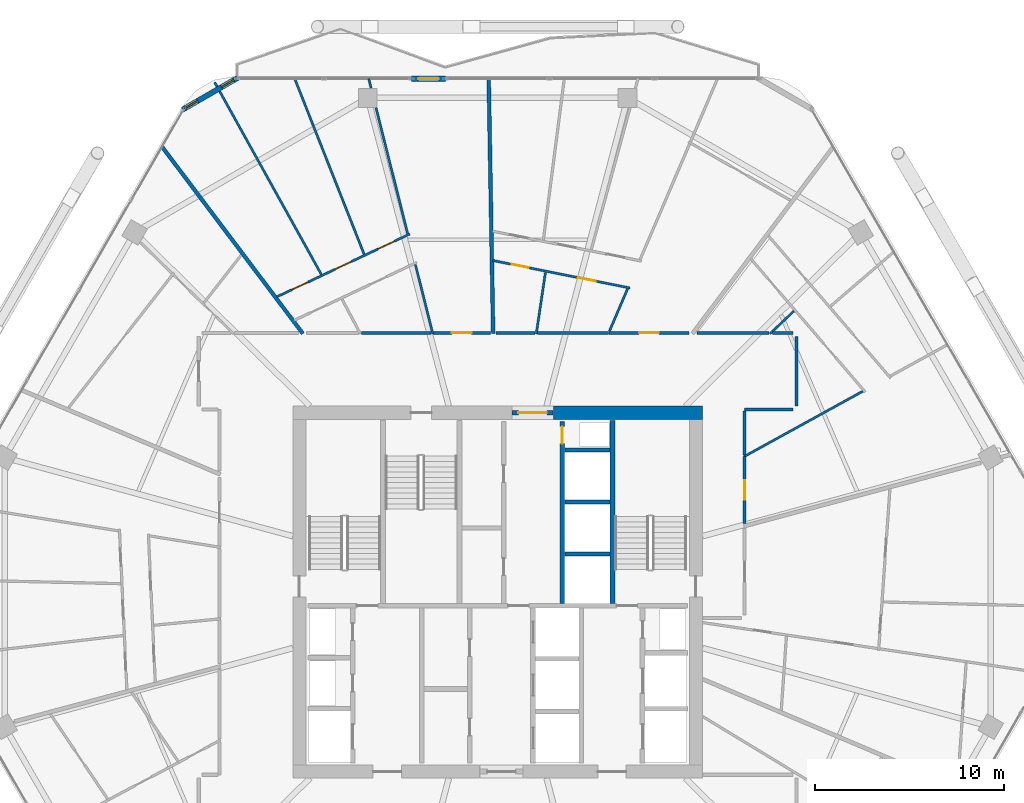
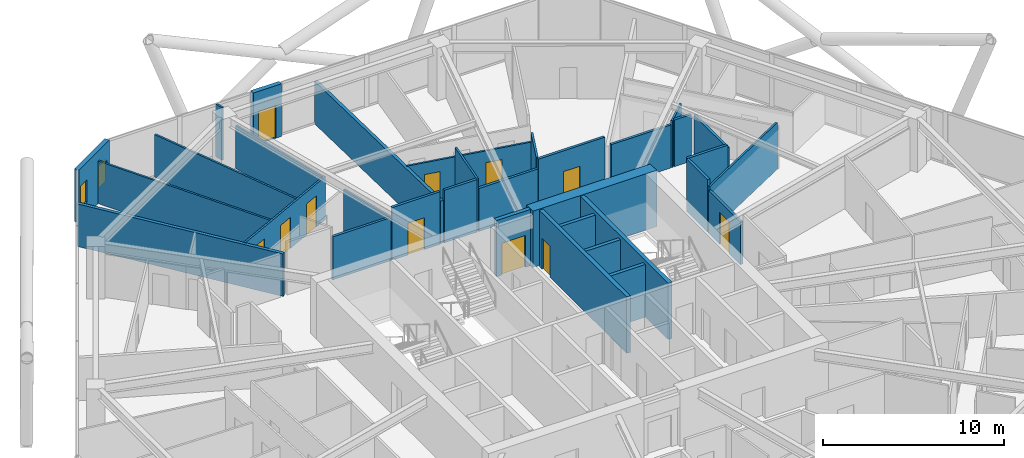
# One storey, part 25 of 29: 33 walls, 11 doors, 2 windows, 13 openings.
"""IFC4 building model written with IfcOpenShell, lengths in metres."""

from ifc_helpers import new_model, si_unit, direction, frame, frame_2d, origin, place, context, subcontext, project, spatial, rectangle, extrude, material, layer, layer_set, type_object, element, fill, save


model = new_model("IFC4")

# Units and contexts
model_context = context("Model", 3, precision=1e-05, world=origin(), true_north=direction((0.0, 1.0)))
body_context = subcontext(model_context, "Body", "Model", "MODEL_VIEW")
ifc_project = project(units=[si_unit("LENGTHUNIT", "METRE"), si_unit("AREAUNIT", "SQUARE_METRE"), si_unit("VOLUMEUNIT", "CUBIC_METRE"), si_unit("PLANEANGLEUNIT", "RADIAN"), si_unit("MASSUNIT", "GRAM", prefix="KILO")], contexts=[model_context])

# Site, building, storey
site_placement = place(None, origin())
site = spatial("IfcSite", under=ifc_project, at=site_placement, CompositionType="ELEMENT")
building_placement = place(site_placement, origin())
building = spatial("IfcBuilding", under=site, at=building_placement, Name="Zuhravey Tower", CompositionType="ELEMENT")
storey_placement = place(building_placement, frame((0.0, 0.0, 184.60009765625)))
storey = spatial("IfcBuildingStorey", under=building, at=storey_placement, Name="L46", CompositionType="ELEMENT", Elevation=184.60009765625)

# Wall
ifc_material_1 = material(Name="Concrete C60/75", Category="concrete")
ifc_layer_1 = layer(ifc_material_1, 0.699951171875)
ifc_layer_set_1 = layer_set([ifc_layer_1], Name="Concrete C60/75")
wall_type_1 = type_object("IfcWallType", Name="Core Shear Wall 700", PredefinedType="SHEAR", material=ifc_layer_set_1)
wall_1_placement = place(storey_placement, frame((46.85009765625, 41.5, 0.0), z_axis=(0.0, 0.0, 1.0), x_axis=(-1.0, 0.0, 0.0)))
element("IfcWall", 1, at=wall_1_placement, inside=storey, type_object=wall_type_1, Name="L46 North-East Core Shear Wall CW70", PredefinedType="SHEAR", context=body_context, shape_type="SweptSolid", body=[
    extrude(rectangle(XDim=7.900146484375, YDim=0.699951171875, at=frame_2d((3.9501953125, 0.0))), origin(), (0.0, 0.0, 1.0), 3.7998046875),
])

# Wall, opening, door
ifc_material_2 = material(Name="Gypsum fire-rated stud partition")
ifc_layer_2 = layer(ifc_material_2, 0.159912109375)
ifc_layer_set_2 = layer_set([ifc_layer_2], Name="Gypsum fire-rated stud partition")
wall_type_2 = type_object("IfcWallType", Name="Corridor Fire Partition 160", PredefinedType="PARTITIONING", material=ifc_layer_set_2)
wall_2_placement = place(storey_placement, frame((49.080078125, 35.648193359375, 0.0), z_axis=(0.0, 0.0, 1.0), x_axis=(0.0, 1.0, 0.0)))
wall_2 = element("IfcWall", 2, at=wall_2_placement, inside=storey, type_object=wall_type_2, Name="L46 IW16 Partition 022", PredefinedType="PARTITIONING", context=body_context, shape_type="SweptSolid", body=[
    extrude(rectangle(XDim=3.525634765625, YDim=0.159912109375, at=frame_2d((1.7626953125, 0.0))), origin(), (0.0, 0.0, 1.0), 2.89990234375),
])
opening_1_placement = place(wall_2_placement, frame((1.23779296875, 0.0, 0.0)))
opening_1 = element("IfcOpeningElement", 3, at=opening_1_placement, cuts=wall_2, Name="Opening APD1", PredefinedType="OPENING", context=body_context, shape_type="SweptSolid", body=[
    extrude(rectangle(XDim=1.050048828125, YDim=2.14990234375, at=frame_2d((0.52490234375, 1.074951171875))), frame((0.0, 0.092041015625, 0.0), z_axis=(0.0, -1.0, 0.0), x_axis=(1.0, 0.0, 0.0)), (0.0, 0.0, 1.0), 0.183837890625),
])
ifc_material_3 = material(Name="Solid-core oak fire-rated leaf")
door_type_1 = type_object("IfcDoorType", Name="Apartment Entrance Fire Door 1050x2150", OperationType="NOTDEFINED", PredefinedType="DOOR", material=ifc_material_3)
door_1_placement = place(opening_1_placement, frame((1.050048828125, 0.0, 0.0), z_axis=(0.0, 0.0, 1.0), x_axis=(-1.0, 0.0, 0.0)))
door_1 = element("IfcDoor", 4, at=door_1_placement, inside=storey, type_object=door_type_1, Name="L46 Door 022.1", OperationType="SINGLE_SWING_LEFT", OverallHeight=2.14990234375, OverallWidth=1.050048828125, PredefinedType="DOOR", context=body_context, shape_type="SweptSolid", body=[
    extrude(rectangle(XDim=1.050048828125, YDim=2.14990234375, at=frame_2d((0.52490234375, 1.074951171875))), frame((0.0, 0.02490234375, 0.0), z_axis=(0.0, -1.0, 0.0), x_axis=(1.0, 0.0, 0.0)), (0.0, 0.0, 1.0), 0.050048828125),
])
fill(opening_1, door_1)

wall_3_placement = place(storey_placement, frame((46.134765625, 45.72998046875, 0.0), z_axis=(0.0, 0.0, 1.0), x_axis=(-1.0, 0.0, 0.0)))
wall_3 = element("IfcWall", 5, at=wall_3_placement, inside=storey, type_object=wall_type_2, Name="L46 IW16 Partition 026", PredefinedType="PARTITIONING", context=body_context, shape_type="SweptSolid", body=[
    extrude(rectangle(XDim=4.23388671875, YDim=0.159912109375, at=frame_2d((2.116943359375, 0.0))), origin(), (0.0, 0.0, 1.0), 3.5498046875),
])
opening_2_placement = place(wall_3_placement, frame((1.592041015625, 0.0, 0.0)))
opening_2 = element("IfcOpeningElement", 6, at=opening_2_placement, cuts=wall_3, Name="Opening APD1", PredefinedType="OPENING", context=body_context, shape_type="SweptSolid", body=[
    extrude(rectangle(XDim=1.050048828125, YDim=2.14990234375, at=frame_2d((0.52490234375, 1.074951171875))), frame((0.0, 0.092041015625, 0.0), z_axis=(0.0, -1.0, 0.0), x_axis=(1.0, 0.0, 0.0)), (0.0, 0.0, 1.0), 0.183837890625),
])
door_2_placement = place(opening_2_placement, frame((1.050048828125, 0.0, 0.0), z_axis=(0.0, 0.0, 1.0), x_axis=(-1.0, 0.0, 0.0)))
door_2 = element("IfcDoor", 7, at=door_2_placement, inside=storey, type_object=door_type_1, Name="L46 Door 026.1", OperationType="SINGLE_SWING_RIGHT", OverallHeight=2.14990234375, OverallWidth=1.050048828125, PredefinedType="DOOR", context=body_context, shape_type="SweptSolid", body=[
    extrude(rectangle(XDim=1.050048828125, YDim=2.14990234375, at=frame_2d((0.52490234375, 1.074951171875))), frame((0.0, 0.02490234375, 0.0), z_axis=(0.0, -1.0, 0.0), x_axis=(1.0, 0.0, 0.0)), (0.0, 0.0, 1.0), 0.050048828125),
])
fill(opening_2, door_2)

wall_4_placement = place(storey_placement, frame((35.62060546875, 45.72998046875, 0.0), z_axis=(0.0, 0.0, 1.0), x_axis=(-1.0, 0.0, 0.0)))
wall_4 = element("IfcWall", 8, at=wall_4_placement, inside=storey, type_object=wall_type_2, Name="L46 IW16 Partition 029", PredefinedType="PARTITIONING", context=body_context, shape_type="SweptSolid", body=[
    extrude(rectangle(XDim=3.048583984375, YDim=0.159912109375, at=frame_2d((1.5244140625, 0.0))), origin(), (0.0, 0.0, 1.0), 3.5498046875),
])
opening_3_placement = place(wall_4_placement, frame((0.999267578125, 0.0, 0.0)))
opening_3 = element("IfcOpeningElement", 9, at=opening_3_placement, cuts=wall_4, Name="Opening APD1", PredefinedType="OPENING", context=body_context, shape_type="SweptSolid", body=[
    extrude(rectangle(XDim=1.050048828125, YDim=2.14990234375, at=frame_2d((0.52490234375, 1.074951171875))), frame((0.0, 0.092041015625, 0.0), z_axis=(0.0, -1.0, 0.0), x_axis=(1.0, 0.0, 0.0)), (0.0, 0.0, 1.0), 0.183837890625),
])
door_3_placement = place(opening_3_placement, frame((1.050048828125, 0.0, 0.0), z_axis=(0.0, 0.0, 1.0), x_axis=(-1.0, 0.0, 0.0)))
door_3 = element("IfcDoor", 10, at=door_3_placement, inside=storey, type_object=door_type_1, Name="L46 Door 029.1", OperationType="SINGLE_SWING_RIGHT", OverallHeight=2.14990234375, OverallWidth=1.050048828125, PredefinedType="DOOR", context=body_context, shape_type="SweptSolid", body=[
    extrude(rectangle(XDim=1.050048828125, YDim=2.14990234375, at=frame_2d((0.52490234375, 1.074951171875))), frame((0.0, 0.02490234375, 0.0), z_axis=(0.0, -1.0, 0.0), x_axis=(1.0, 0.0, 0.0)), (0.0, 0.0, 1.0), 0.050048828125),
])
fill(opening_3, door_3)

# Walls
wall_5_placement = place(storey_placement, frame((51.830078125, 41.85009765625, 0.0), z_axis=(0.0, 0.0, 1.0), x_axis=(0.0, 1.0, 0.0)))
element("IfcWall", 11, at=wall_5_placement, inside=storey, type_object=wall_type_2, Name="L46 IW16 Partition 122", PredefinedType="PARTITIONING", context=body_context, shape_type="SweptSolid", body=[
    extrude(rectangle(XDim=3.699951171875, YDim=0.159912109375, at=frame_2d((1.85009765625, 0.0))), origin(), (0.0, 0.0, 1.0), 3.14990234375),
])
wall_6_placement = place(storey_placement, frame((49.080078125, 41.669921875, 0.0), z_axis=(0.0, 0.0, 1.0), x_axis=(1.0, 0.0, 0.0)))
element("IfcWall", 12, at=wall_6_placement, inside=storey, type_object=wall_type_2, Name="L46 IW16 Partition 123", PredefinedType="PARTITIONING", context=body_context, shape_type="SweptSolid", body=[
    extrude(rectangle(XDim=2.56982421875, YDim=0.159912109375, at=frame_2d((1.284912109375, 0.0))), origin(), (0.0, 0.0, 1.0), 3.5498046875),
])
wall_7_placement = place(storey_placement, frame((49.080078125, 39.2744140625, 0.0), z_axis=(0.0, 0.0, 1.0), x_axis=(0.0, 1.0, 0.0)))
element("IfcWall", 13, at=wall_7_placement, inside=storey, type_object=wall_type_2, Name="L46 IW16 Partition 124", PredefinedType="PARTITIONING", context=body_context, shape_type="SweptSolid", body=[
    extrude(rectangle(XDim=2.3076171875, YDim=0.159912109375, at=frame_2d((1.15380859375, 0.0))), origin(), (0.0, 0.0, 1.0), 3.5498046875),
])
wall_8_placement = place(storey_placement, frame((51.64990234375, 45.72998046875, 0.0), z_axis=(0.0, 0.0, 1.0), x_axis=(-1.0, 0.0, 0.0)))
element("IfcWall", 14, at=wall_8_placement, inside=storey, type_object=wall_type_2, Name="L46 IW16 Partition 125", PredefinedType="PARTITIONING", context=body_context, shape_type="SweptSolid", body=[
    extrude(rectangle(XDim=1.08349609375, YDim=0.159912109375, at=frame_2d((0.541748046875, 0.0))), origin(), (0.0, 0.0, 1.0), 3.14990234375),
])
wall_9_placement = place(storey_placement, frame((50.368896484375, 45.72998046875, 0.0), z_axis=(0.0, 0.0, 1.0), x_axis=(-1.0, 0.0, 0.0)))
element("IfcWall", 15, at=wall_9_placement, inside=storey, type_object=wall_type_2, Name="L46 IW16 Partition 126", PredefinedType="PARTITIONING", context=body_context, shape_type="SweptSolid", body=[
    extrude(rectangle(XDim=3.808349609375, YDim=0.159912109375, at=frame_2d((1.904296875, 0.0))), origin(), (0.0, 0.0, 1.0), 2.89990234375),
])
wall_10_placement = place(storey_placement, frame((41.857421875, 45.72998046875, 0.0), z_axis=(0.0, 0.0, 1.0), x_axis=(-1.0, 0.0, 0.0)))
element("IfcWall", 16, at=wall_10_placement, inside=storey, type_object=wall_type_2, Name="L46 IW16 Partition 127", PredefinedType="PARTITIONING", context=body_context, shape_type="SweptSolid", body=[
    extrude(rectangle(XDim=3.737060546875, YDim=0.159912109375, at=frame_2d((1.86865234375, 0.0))), origin(), (0.0, 0.0, 1.0), 2.89990234375),
])
wall_11_placement = place(storey_placement, frame((37.98291015625, 45.72998046875, 0.0), z_axis=(0.0, 0.0, 1.0), x_axis=(-1.0, 0.0, 0.0)))
element("IfcWall", 17, at=wall_11_placement, inside=storey, type_object=wall_type_2, Name="L46 IW16 Partition 128", PredefinedType="PARTITIONING", context=body_context, shape_type="SweptSolid", body=[
    extrude(rectangle(XDim=2.082763671875, YDim=0.159912109375, at=frame_2d((1.04150390625, 0.0))), origin(), (0.0, 0.0, 1.0), 3.5498046875),
])
wall_12_placement = place(storey_placement, frame((32.481201171875, 45.72998046875, 0.0), z_axis=(0.0, 0.0, 1.0), x_axis=(-1.0, 0.0, 0.0)))
element("IfcWall", 18, at=wall_12_placement, inside=storey, type_object=wall_type_2, Name="L46 IW16 Partition 129", PredefinedType="PARTITIONING", context=body_context, shape_type="SweptSolid", body=[
    extrude(rectangle(XDim=3.700927734375, YDim=0.159912109375, at=frame_2d((1.8505859375, 0.0))), origin(), (0.0, 0.0, 1.0), 2.89990234375),
])

# Wall, openings, windows
ifc_material_4 = material(Name="Precast concrete C40/50", Category="concrete")
ifc_layer_3 = layer(ifc_material_4, 0.280029296875)
ifc_layer_set_3 = layer_set([ifc_layer_3], Name="Precast concrete C40/50")
wall_type_3 = type_object("IfcWallType", Name="Crown Architectural Wall 280", PredefinedType="SOLIDWALL", material=ifc_layer_set_3)
wall_13_placement = place(storey_placement, frame((19.306884765625, 57.548095703125, 0.0), z_axis=(0.0, 0.0, 1.0), x_axis=(0.866020068361, 0.500009241111, 0.0)))
wall_13 = element("IfcWall", 19, at=wall_13_placement, inside=storey, type_object=wall_type_3, Name="L46 Rounded Corner Closure Wall EW28-08", PredefinedType="SOLIDWALL", context=body_context, shape_type="SweptSolid", body=[
    extrude(rectangle(XDim=3.365234375, YDim=0.280029296875, at=frame_2d((1.6826171875, 0.0))), origin(), (0.0, 0.0, 1.0), 3.5498046875),
])
opening_4_placement = place(wall_13_placement, frame((2.386962890625, 0.0, 0.85009765625)))
opening_4 = element("IfcOpeningElement", 20, at=opening_4_placement, cuts=wall_13, Name="Opening WN5", PredefinedType="OPENING", context=body_context, shape_type="SweptSolid", body=[
    extrude(rectangle(XDim=0.75, YDim=1.5, at=frame_2d((0.375, 0.75))), frame((0.0, 0.152099609375, 0.0), z_axis=(0.0, -1.0, 0.0), x_axis=(1.0, 0.0, 0.0)), (0.0, 0.0, 1.0), 0.303955078125),
])
opening_5_placement = place(wall_13_placement, frame((0.17919921875, 0.0, 0.85009765625)))
opening_5 = element("IfcOpeningElement", 21, at=opening_5_placement, cuts=wall_13, Name="Opening WN5", PredefinedType="OPENING", context=body_context, shape_type="SweptSolid", body=[
    extrude(rectangle(XDim=0.75, YDim=1.5, at=frame_2d((0.375, 0.75))), frame((0.0, 0.152099609375, 0.0), z_axis=(0.0, -1.0, 0.0), x_axis=(1.0, 0.0, 0.0)), (0.0, 0.0, 1.0), 0.303955078125),
])
ifc_material_5 = material(Name="Thermally broken aluminium and triple low-E glass", Category="aluminium")
window_type = type_object("IfcWindowType", Name="Residential Corner Casement Window 750x1500", PartitioningType="SINGLE_PANEL", PredefinedType="WINDOW", material=ifc_material_5)
window_1_placement = place(opening_4_placement, origin())
window_1 = element("IfcWindow", 22, at=window_1_placement, inside=storey, type_object=window_type, Name="L46 Corner Casement Window WN5-08.1", OverallHeight=1.5, OverallWidth=0.75, PartitioningType="SINGLE_PANEL", PredefinedType="WINDOW", context=body_context, shape_type="SweptSolid", body=[
    extrude(rectangle(XDim=0.75, YDim=1.5, at=frame_2d((0.375, 0.75))), frame((0.0, 0.030029296875, 0.0), z_axis=(0.0, -1.0, 0.0), x_axis=(1.0, 0.0, 0.0)), (0.0, 0.0, 1.0), 0.06005859375),
])
fill(opening_4, window_1)
window_2_placement = place(opening_5_placement, origin())
window_2 = element("IfcWindow", 23, at=window_2_placement, inside=storey, type_object=window_type, Name="L46 Corner Casement Window WN5-08.2", OverallHeight=1.5, OverallWidth=0.75, PartitioningType="SINGLE_PANEL", PredefinedType="WINDOW", context=body_context, shape_type="SweptSolid", body=[
    extrude(rectangle(XDim=0.75, YDim=1.5, at=frame_2d((0.375, 0.75))), frame((0.0, 0.030029296875, 0.0), z_axis=(0.0, -1.0, 0.0), x_axis=(1.0, 0.0, 0.0)), (0.0, 0.0, 1.0), 0.06005859375),
])
fill(opening_5, window_2)

# Wall, opening, door
wall_14_placement = place(storey_placement, frame((31.439697265625, 59.18310546875, 0.0), z_axis=(0.0, 0.0, 1.0), x_axis=(1.0, 0.0, 0.0)))
wall_14 = element("IfcWall", 24, at=wall_14_placement, inside=storey, type_object=wall_type_3, Name="L46 Face 2 Facade Pier EW28-1", PredefinedType="SOLIDWALL", context=body_context, shape_type="SweptSolid", body=[
    extrude(rectangle(XDim=1.7900390625, YDim=0.280029296875, at=frame_2d((0.89501953125, 0.0))), origin(), (0.0, 0.0, 1.0), 3.5498046875),
])
opening_6_placement = place(wall_14_placement, frame((0.344970703125, 0.0, 0.0)))
opening_6 = element("IfcOpeningElement", 25, at=opening_6_placement, cuts=wall_14, Name="Opening BLD1", PredefinedType="OPENING", context=body_context, shape_type="SweptSolid", body=[
    extrude(rectangle(XDim=1.10009765625, YDim=2.199951171875, at=frame_2d((0.550048828125, 1.10009765625))), frame((0.0, 0.152099609375, 0.0), z_axis=(0.0, -1.0, 0.0), x_axis=(1.0, 0.0, 0.0)), (0.0, 0.0, 1.0), 0.303955078125),
])
ifc_material_6 = material(Name="Thermally broken aluminium and low-E glass", Category="aluminium")
door_type_2 = type_object("IfcDoorType", Name="Balcony & Sky-Tray Glazed Door 1100x2200", OperationType="NOTDEFINED", PredefinedType="DOOR", material=ifc_material_6)
door_4_placement = place(opening_6_placement, frame((1.10009765625, 0.0, 0.0), z_axis=(0.0, 0.0, 1.0), x_axis=(-1.0, 0.0, 0.0)))
door_4 = element("IfcDoor", 26, at=door_4_placement, inside=storey, type_object=door_type_2, Name="L46 Face 2 Wave Balcony Door", OperationType="SINGLE_SWING_RIGHT", OverallHeight=2.199951171875, OverallWidth=1.10009765625, PredefinedType="DOOR", context=body_context, shape_type="SweptSolid", body=[
    extrude(rectangle(XDim=1.10009765625, YDim=2.199951171875, at=frame_2d((0.550048828125, 1.10009765625))), frame((0.0, 0.02490234375, 0.0), z_axis=(0.0, -1.0, 0.0), x_axis=(1.0, 0.0, 0.0)), (0.0, 0.0, 1.0), 0.050048828125),
])
fill(opening_6, door_4)

ifc_material_7 = material(Name="Concrete C50/60", Category="concrete")
ifc_layer_4 = layer(ifc_material_7, 0.25)
ifc_layer_set_4 = layer_set([ifc_layer_4], Name="Concrete C50/60")
wall_type_4 = type_object("IfcWallType", Name="Firefighting Shaft & Stair Wall 250", PredefinedType="SOLIDWALL", material=ifc_layer_set_4)
wall_15_placement = place(storey_placement, frame((36.760009765625, 41.5, 0.0), z_axis=(0.0, 0.0, 1.0), x_axis=(1.0, 0.0, 0.0)))
wall_15 = element("IfcWall", 27, at=wall_15_placement, inside=storey, type_object=wall_type_4, Name="L46 FW25 Shaft Wall 002", PredefinedType="SOLIDWALL", context=body_context, shape_type="SweptSolid", body=[
    extrude(rectangle(XDim=2.179931640625, YDim=0.25, at=frame_2d((1.08984375, 0.0))), origin(), (0.0, 0.0, 1.0), 3.7998046875),
])
opening_7_placement = place(wall_15_placement, frame((0.340087890625, 0.0, 0.0)))
opening_7 = element("IfcOpeningElement", 28, at=opening_7_placement, cuts=wall_15, Name="Opening FFD1", PredefinedType="OPENING", context=body_context, shape_type="SweptSolid", body=[
    extrude(rectangle(XDim=1.5, YDim=2.14990234375, at=frame_2d((0.75, 1.074951171875))), frame((0.0, 0.136962890625, 0.0), z_axis=(0.0, -1.0, 0.0), x_axis=(1.0, 0.0, 0.0)), (0.0, 0.0, 1.0), 0.27392578125),
])
ifc_material_8 = material(Name="Galvanised fire-rated steel leaf", Category="steel")
door_type_3 = type_object("IfcDoorType", Name="Firefighting Lobby Double Door 1500x2150", OperationType="DOUBLE_DOOR_SINGLE_SWING", PredefinedType="DOOR", material=ifc_material_8)
door_5_placement = place(opening_7_placement, origin())
door_5 = element("IfcDoor", 29, at=door_5_placement, inside=storey, type_object=door_type_3, Name="L46 North Lift Lobby Exit Door", OperationType="DOUBLE_DOOR_SINGLE_SWING", OverallHeight=2.14990234375, OverallWidth=1.5, PredefinedType="DOOR", context=body_context, shape_type="SweptSolid", body=[
    extrude(rectangle(XDim=1.5, YDim=2.14990234375, at=frame_2d((0.75, 1.074951171875))), frame((0.0, 0.02490234375, 0.0), z_axis=(0.0, -1.0, 0.0), x_axis=(1.0, 0.0, 0.0)), (0.0, 0.0, 1.0), 0.050048828125),
])
fill(opening_7, door_5)

# Wall
wall_16_placement = place(storey_placement, frame((42.074951171875, 31.39990234375, 0.0), z_axis=(0.0, 0.0, 1.0), x_axis=(0.0, 1.0, 0.0)))
element("IfcWall", 30, at=wall_16_placement, inside=storey, type_object=wall_type_4, Name="L46 FW25 Shaft Wall 006", PredefinedType="SOLIDWALL", context=body_context, shape_type="SweptSolid", body=[
    extrude(rectangle(XDim=9.7001953125, YDim=0.25, at=frame_2d((4.85009765625, 0.0))), origin(), (0.0, 0.0, 1.0), 3.7998046875),
])

# Wall, opening, door
wall_17_placement = place(storey_placement, frame((39.425048828125, 31.39990234375, 0.0), z_axis=(0.0, 0.0, 1.0), x_axis=(0.0, 1.0, 0.0)))
wall_17 = element("IfcWall", 31, at=wall_17_placement, inside=storey, type_object=wall_type_4, Name="L46 FW25 Shaft Wall 008", PredefinedType="SOLIDWALL", context=body_context, shape_type="SweptSolid", body=[
    extrude(rectangle(XDim=9.650146484375, YDim=0.25, at=frame_2d((4.8251953125, 0.0))), origin(), (0.0, 0.0, 1.0), 3.7998046875),
])
opening_8_placement = place(wall_17_placement, frame((8.469970703125, 0.0, 0.0)))
opening_8 = element("IfcOpeningElement", 32, at=opening_8_placement, cuts=wall_17, Name="Opening RSD1", PredefinedType="OPENING", context=body_context, shape_type="SweptSolid", body=[
    extrude(rectangle(XDim=0.89990234375, YDim=2.10009765625, at=frame_2d((0.449951171875, 1.050048828125))), frame((0.0, 0.136962890625, 0.0), z_axis=(0.0, -1.0, 0.0), x_axis=(1.0, 0.0, 0.0)), (0.0, 0.0, 1.0), 0.27392578125),
])
ifc_material_9 = material(Name="Galvanised fire-rated steel access leaf", Category="steel")
door_type_4 = type_object("IfcDoorType", Name="Riser & Shaft Access Fire Door 900x2100", OperationType="NOTDEFINED", PredefinedType="DOOR", material=ifc_material_9)
door_6_placement = place(opening_8_placement, origin())
door_6 = element("IfcDoor", 33, at=door_6_placement, inside=storey, type_object=door_type_4, Name="L46 North Riser Door", OperationType="SINGLE_SWING_LEFT", OverallHeight=2.10009765625, OverallWidth=0.89990234375, PredefinedType="DOOR", context=body_context, shape_type="SweptSolid", body=[
    extrude(rectangle(XDim=0.89990234375, YDim=2.10009765625, at=frame_2d((0.449951171875, 1.050048828125))), frame((0.0, 0.02490234375, 0.0), z_axis=(0.0, -1.0, 0.0), x_axis=(1.0, 0.0, 0.0)), (0.0, 0.0, 1.0), 0.050048828125),
])
fill(opening_8, door_6)

# Walls
ifc_material_10 = material(Name="Gypsum double-stud party assembly")
ifc_layer_5 = layer(ifc_material_10, 0.199951171875)
ifc_layer_set_5 = layer_set([ifc_layer_5], Name="Gypsum double-stud party assembly")
wall_type_5 = type_object("IfcWallType", Name="Inter-Tenancy Party Wall 200", PredefinedType="PARTITIONING", material=ifc_layer_set_5)
wall_18_placement = place(storey_placement, frame((35.760986328125, 45.68994140625, 0.0), z_axis=(0.0, 0.0, 1.0), x_axis=(-0.017457713983, 0.999847602499, 0.0)))
element("IfcWall", 34, at=wall_18_placement, inside=storey, type_object=wall_type_5, Name="L46 IW20 Partition 081", PredefinedType="PARTITIONING", context=body_context, shape_type="SweptSolid", body=[
    extrude(rectangle(XDim=13.4951171875, YDim=0.199951171875, at=frame_2d((6.74755859375, 0.0))), origin(), (0.0, 0.0, 1.0), 2.869873046875),
])
wall_19_placement = place(storey_placement, frame((25.683837890625, 45.68994140625, 0.0), z_axis=(0.0, 0.0, 1.0), x_axis=(-0.601811441108, 0.798638209299, 0.0)))
element("IfcWall", 35, at=wall_19_placement, inside=storey, type_object=wall_type_5, Name="L46 IW20 Partition 088", PredefinedType="PARTITIONING", context=body_context, shape_type="SweptSolid", body=[
    extrude(rectangle(XDim=12.388916015625, YDim=0.199951171875, at=frame_2d((6.1943359375, 0.0))), origin(), (0.0, 0.0, 1.0), 2.869873046875),
])
ifc_material_11 = material(Name="Gypsum acoustic stud assembly")
ifc_layer_6 = layer(ifc_material_11, 0.219970703125)
ifc_layer_set_6 = layer_set([ifc_layer_6], Name="Gypsum acoustic stud assembly")
wall_type_6 = type_object("IfcWallType", Name="School Acoustic Compartment Wall 220", PredefinedType="PARTITIONING", material=ifc_layer_set_6)
for number, where, z_axis, x_axis, name in (
    (36, (39.55810546875, 34.02490234375, 0.0), (0.0, 0.0, 1.0), (1.0, 0.0, 0.0), "L46 IW22 Partition 062"),
    (37, (39.55810546875, 36.77490234375, 0.0), (0.0, 0.0, 1.0), (1.0, 0.0, 0.0), "L46 IW22 Partition 063"),
    (38, (39.55810546875, 39.52490234375, 0.0), (0.0, 0.0, 1.0), (1.0, 0.0, 0.0), "L46 IW22 Partition 064"),
):
    element("IfcWall", number, at=place(storey_placement, frame(where, z_axis=z_axis, x_axis=x_axis)), inside=storey, type_object=wall_type_6, Name=name, PredefinedType="PARTITIONING", context=body_context, shape_type="SweptSolid", body=[
        extrude(rectangle(XDim=2.3837890625, YDim=0.219970703125, at=frame_2d((1.19189453125, 0.0))), origin(), (0.0, 0.0, 1.0), 3.5498046875),
    ])

# Wall, openings, doors
ifc_material_12 = material(Name="Gypsum metal-stud partition")
ifc_layer_7 = layer(ifc_material_12, 0.1201171875)
ifc_layer_set_7 = layer_set([ifc_layer_7], Name="Gypsum metal-stud partition")
wall_type_7 = type_object("IfcWallType", Name="Unit Internal Partition 120", PredefinedType="PARTITIONING", material=ifc_layer_set_7)
wall_20_placement = place(storey_placement, frame((43.005126953125, 48.105712890625, 0.0), z_axis=(0.0, 0.0, 1.0), x_axis=(-0.980473986125, 0.196648830489, 0.0)))
wall_20 = element("IfcWall", 39, at=wall_20_placement, inside=storey, type_object=wall_type_7, Name="L46 IW12 Partition 024", PredefinedType="PARTITIONING", context=body_context, shape_type="SweptSolid", body=[
    extrude(rectangle(XDim=7.403076171875, YDim=0.1201171875, at=frame_2d((3.70166015625, 0.0))), origin(), (0.0, 0.0, 1.0), 2.89990234375),
])
opening_9_placement = place(wall_20_placement, frame((1.852783203125, 0.0, 0.0)))
opening_9 = element("IfcOpeningElement", 40, at=opening_9_placement, cuts=wall_20, Name="Opening IND1", PredefinedType="OPENING", context=body_context, shape_type="SweptSolid", body=[
    extrude(rectangle(XDim=0.949951171875, YDim=2.10009765625, at=frame_2d((0.47509765625, 1.050048828125))), frame((0.0, 0.072021484375, 0.0), z_axis=(0.0, -1.0, 0.0), x_axis=(1.0, 0.0, 0.0)), (0.0, 0.0, 1.0), 0.14404296875),
])
opening_10_placement = place(wall_20_placement, frame((5.47705078125, 0.0, 0.0)))
opening_10 = element("IfcOpeningElement", 41, at=opening_10_placement, cuts=wall_20, Name="Opening WCD1", PredefinedType="OPENING", context=body_context, shape_type="SweptSolid", body=[
    extrude(rectangle(XDim=0.89990234375, YDim=2.10009765625, at=frame_2d((0.449951171875, 1.050048828125))), frame((0.0, 0.072021484375, 0.0), z_axis=(0.0, -1.0, 0.0), x_axis=(1.0, 0.0, 0.0)), (0.0, 0.0, 1.0), 0.14404296875),
])
ifc_material_13 = material(Name="Moisture-resistant timber leaf", Category="wood")
door_type_5 = type_object("IfcDoorType", Name="Bathroom & WC Internal Door 900x2100", OperationType="NOTDEFINED", PredefinedType="DOOR", material=ifc_material_13)
door_7_placement = place(opening_10_placement, origin())
door_7 = element("IfcDoor", 42, at=door_7_placement, inside=storey, type_object=door_type_5, Name="Apartment L46-02 Bathroom Door", OperationType="SINGLE_SWING_RIGHT", OverallHeight=2.10009765625, OverallWidth=0.89990234375, PredefinedType="DOOR", context=body_context, shape_type="SweptSolid", body=[
    extrude(rectangle(XDim=0.89990234375, YDim=2.10009765625, at=frame_2d((0.449951171875, 1.050048828125))), frame((0.0, 0.02490234375, 0.0), z_axis=(0.0, -1.0, 0.0), x_axis=(1.0, 0.0, 0.0)), (0.0, 0.0, 1.0), 0.050048828125),
])
fill(opening_10, door_7)
ifc_material_14 = material(Name="Painted engineered timber leaf", Category="wood")
door_type_6 = type_object("IfcDoorType", Name="Internal Room & Bedroom Door 950x2100", OperationType="NOTDEFINED", PredefinedType="DOOR", material=ifc_material_14)
door_8_placement = place(opening_9_placement, origin())
door_8 = element("IfcDoor", 43, at=door_8_placement, inside=storey, type_object=door_type_6, Name="Apartment L46-02 Kitchen Door", OperationType="SINGLE_SWING_LEFT", OverallHeight=2.10009765625, OverallWidth=0.949951171875, PredefinedType="DOOR", context=body_context, shape_type="SweptSolid", body=[
    extrude(rectangle(XDim=0.949951171875, YDim=2.10009765625, at=frame_2d((0.47509765625, 1.050048828125))), frame((0.0, 0.02490234375, 0.0), z_axis=(0.0, -1.0, 0.0), x_axis=(1.0, 0.0, 0.0)), (0.0, 0.0, 1.0), 0.050048828125),
])
fill(opening_9, door_8)

wall_21_placement = place(storey_placement, frame((31.339599609375, 50.964111328125, 0.0), z_axis=(0.0, 0.0, 1.0), x_axis=(-0.904072927677, -0.427378218258, 0.0)))
wall_21 = element("IfcWall", 44, at=wall_21_placement, inside=storey, type_object=wall_type_7, Name="L46 IW12 Partition 028", PredefinedType="PARTITIONING", context=body_context, shape_type="SweptSolid", body=[
    extrude(rectangle(XDim=7.7822265625, YDim=0.1201171875, at=frame_2d((3.89111328125, 0.0))), origin(), (0.0, 0.0, 1.0), 2.89990234375),
])
opening_11_placement = place(wall_21_placement, frame((0.896240234375, 0.0, 0.0)))
opening_11 = element("IfcOpeningElement", 45, at=opening_11_placement, cuts=wall_21, Name="Opening IND1", PredefinedType="OPENING", context=body_context, shape_type="SweptSolid", body=[
    extrude(rectangle(XDim=0.949951171875, YDim=2.10009765625, at=frame_2d((0.47509765625, 1.050048828125))), frame((0.0, 0.072021484375, 0.0), z_axis=(0.0, -1.0, 0.0), x_axis=(1.0, 0.0, 0.0)), (0.0, 0.0, 1.0), 0.14404296875),
])
opening_12_placement = place(wall_21_placement, frame((3.416015625, 0.0, 0.0)))
opening_12 = element("IfcOpeningElement", 46, at=opening_12_placement, cuts=wall_21, Name="Opening IND1", PredefinedType="OPENING", context=body_context, shape_type="SweptSolid", body=[
    extrude(rectangle(XDim=0.949951171875, YDim=2.10009765625, at=frame_2d((0.47509765625, 1.050048828125))), frame((0.0, 0.072021484375, 0.0), z_axis=(0.0, -1.0, 0.0), x_axis=(1.0, 0.0, 0.0)), (0.0, 0.0, 1.0), 0.14404296875),
])
opening_13_placement = place(wall_21_placement, frame((5.93603515625, 0.0, 0.0)))
opening_13 = element("IfcOpeningElement", 47, at=opening_13_placement, cuts=wall_21, Name="Opening IND1", PredefinedType="OPENING", context=body_context, shape_type="SweptSolid", body=[
    extrude(rectangle(XDim=0.949951171875, YDim=2.10009765625, at=frame_2d((0.47509765625, 1.050048828125))), frame((0.0, 0.072021484375, 0.0), z_axis=(0.0, -1.0, 0.0), x_axis=(1.0, 0.0, 0.0)), (0.0, 0.0, 1.0), 0.14404296875),
])
door_9_placement = place(opening_11_placement, frame((0.949951171875, 0.0, 0.0), z_axis=(0.0, 0.0, 1.0), x_axis=(-1.0, 0.0, 0.0)))
door_9 = element("IfcDoor", 48, at=door_9_placement, inside=storey, type_object=door_type_6, Name="Apartment L46-03 Bedroom 1 Door", OperationType="SINGLE_SWING_LEFT", OverallHeight=2.10009765625, OverallWidth=0.949951171875, PredefinedType="DOOR", context=body_context, shape_type="SweptSolid", body=[
    extrude(rectangle(XDim=0.949951171875, YDim=2.10009765625, at=frame_2d((0.47509765625, 1.050048828125))), frame((0.0, 0.02490234375, 0.0), z_axis=(0.0, -1.0, 0.0), x_axis=(1.0, 0.0, 0.0)), (0.0, 0.0, 1.0), 0.050048828125),
])
fill(opening_11, door_9)
door_10_placement = place(opening_12_placement, frame((0.949951171875, 0.0, 0.0), z_axis=(0.0, 0.0, 1.0), x_axis=(-1.0, 0.0, 0.0)))
door_10 = element("IfcDoor", 49, at=door_10_placement, inside=storey, type_object=door_type_6, Name="Apartment L46-03 Bedroom 2 Door", OperationType="SINGLE_SWING_RIGHT", OverallHeight=2.10009765625, OverallWidth=0.949951171875, PredefinedType="DOOR", context=body_context, shape_type="SweptSolid", body=[
    extrude(rectangle(XDim=0.949951171875, YDim=2.10009765625, at=frame_2d((0.47509765625, 1.050048828125))), frame((0.0, 0.02490234375, 0.0), z_axis=(0.0, -1.0, 0.0), x_axis=(1.0, 0.0, 0.0)), (0.0, 0.0, 1.0), 0.050048828125),
])
fill(opening_12, door_10)
door_11_placement = place(opening_13_placement, frame((0.949951171875, 0.0, 0.0), z_axis=(0.0, 0.0, 1.0), x_axis=(-1.0, 0.0, 0.0)))
door_11 = element("IfcDoor", 50, at=door_11_placement, inside=storey, type_object=door_type_6, Name="Apartment L46-03 Bedroom 3 Door", OperationType="SINGLE_SWING_LEFT", OverallHeight=2.10009765625, OverallWidth=0.949951171875, PredefinedType="DOOR", context=body_context, shape_type="SweptSolid", body=[
    extrude(rectangle(XDim=0.949951171875, YDim=2.10009765625, at=frame_2d((0.47509765625, 1.050048828125))), frame((0.0, 0.02490234375, 0.0), z_axis=(0.0, -1.0, 0.0), x_axis=(1.0, 0.0, 0.0)), (0.0, 0.0, 1.0), 0.050048828125),
])
fill(opening_13, door_11)

# Walls
wall_22_placement = place(storey_placement, frame((50.414794921875, 45.679931640625, 0.0), z_axis=(0.0, 0.0, 1.0), x_axis=(0.725405017461, 0.688322279635, 0.0)))
element("IfcWall", 51, at=wall_22_placement, inside=storey, type_object=wall_type_7, Name="L46 IW12 Partition 069", PredefinedType="PARTITIONING", context=body_context, shape_type="SweptSolid", body=[
    extrude(rectangle(XDim=1.7578125, YDim=0.1201171875, at=frame_2d((0.87890625, 0.0))), origin(), (0.0, 0.0, 1.0), 3.14990234375),
])
wall_23_placement = place(storey_placement, frame((49.038330078125, 39.173828125, 0.0), z_axis=(0.0, 0.0, 1.0), x_axis=(0.876137059661, 0.482062083853, 0.0)))
element("IfcWall", 52, at=wall_23_placement, inside=storey, type_object=wall_type_7, Name="L46 IW12 Partition 071", PredefinedType="PARTITIONING", context=body_context, shape_type="SweptSolid", body=[
    extrude(rectangle(XDim=7.192138671875, YDim=0.1201171875, at=frame_2d((3.59619140625, 0.0))), origin(), (0.0, 0.0, 1.0), 3.14990234375),
])
wall_24_placement = place(storey_placement, frame((38.044189453125, 45.679931640625, 0.0), z_axis=(0.0, 0.0, 1.0), x_axis=(0.147745321874, 0.989025439443, 0.0)))
element("IfcWall", 53, at=wall_24_placement, inside=storey, type_object=wall_type_7, Name="L46 IW12 Partition 074", PredefinedType="PARTITIONING", context=body_context, shape_type="SweptSolid", body=[
    extrude(rectangle(XDim=3.2900390625, YDim=0.1201171875, at=frame_2d((1.64501953125, 0.0))), origin(), (0.0, 0.0, 1.0), 3.5498046875),
])
wall_25_placement = place(storey_placement, frame((41.916748046875, 45.818115234375, 0.0), z_axis=(0.0, 0.0, 1.0), x_axis=(0.393581271116, 0.919289825369, 0.0)))
element("IfcWall", 54, at=wall_25_placement, inside=storey, type_object=wall_type_7, Name="L46 IW12 Partition 078", PredefinedType="PARTITIONING", context=body_context, shape_type="SweptSolid", body=[
    extrude(rectangle(XDim=2.44091796875, YDim=0.1201171875, at=frame_2d((1.220458984375, 0.0))), origin(), (0.0, 0.0, 1.0), 3.5498046875),
])
wall_26_placement = place(storey_placement, frame((28.92578125, 49.898193359375, 0.0), z_axis=(0.0, 0.0, 1.0), x_axis=(-0.367601408751, 0.929983443016, 0.0)))
element("IfcWall", 55, at=wall_26_placement, inside=storey, type_object=wall_type_7, Name="L46 IW12 Partition 083", PredefinedType="PARTITIONING", context=body_context, shape_type="SweptSolid", body=[
    extrude(rectangle(XDim=9.99462890625, YDim=0.1201171875, at=frame_2d((4.997314453125, 0.0))), origin(), (0.0, 0.0, 1.0), 2.869873046875),
])
wall_27_placement = place(storey_placement, frame((26.659912109375, 48.8271484375, 0.0), z_axis=(0.0, 0.0, 1.0), x_axis=(-0.485325552843, 0.874333522037, 0.0)))
element("IfcWall", 56, at=wall_27_placement, inside=storey, type_object=wall_type_7, Name="L46 IW12 Partition 084", PredefinedType="PARTITIONING", context=body_context, shape_type="SweptSolid", body=[
    extrude(rectangle(XDim=11.626953125, YDim=0.1201171875, at=frame_2d((5.8134765625, 0.0))), origin(), (0.0, 0.0, 1.0), 2.869873046875),
])
wall_28_placement = place(storey_placement, frame((32.563720703125, 45.680908203125, 0.0), z_axis=(0.0, 0.0, 1.0), x_axis=(-0.24365901467, 0.969860961463, 0.0)))
element("IfcWall", 57, at=wall_28_placement, inside=storey, type_object=wall_type_7, Name="L46 IW12 Partition 085", PredefinedType="PARTITIONING", context=body_context, shape_type="SweptSolid", body=[
    extrude(rectangle(XDim=3.783447265625, YDim=0.1201171875, at=frame_2d((1.8916015625, 0.0))), origin(), (0.0, 0.0, 1.0), 2.89990234375),
])
wall_29_placement = place(storey_placement, frame((31.230712890625, 50.98779296875, 0.0), z_axis=(0.0, 0.0, 1.0), x_axis=(-0.243630476545, 0.969868130675, 0.0)))
element("IfcWall", 58, at=wall_29_placement, inside=storey, type_object=wall_type_7, Name="L46 IW12 Partition 086", PredefinedType="PARTITIONING", context=body_context, shape_type="SweptSolid", body=[
    extrude(rectangle(XDim=6.872314453125, YDim=0.1201171875, at=frame_2d((3.43603515625, 0.0))), origin(), (0.0, 0.0, 1.0), 2.89990234375),
])
wall_30_placement = place(storey_placement, frame((29.295166015625, 58.693115234375, 0.0), z_axis=(0.0, 0.0, 1.0), x_axis=(-0.243426992513, 0.969919223088, 0.0)))
element("IfcWall", 59, at=wall_30_placement, inside=storey, type_object=wall_type_7, Name="L46 IW12 Partition 087", PredefinedType="PARTITIONING", context=body_context, shape_type="SweptSolid", body=[
    extrude(rectangle(XDim=0.515625, YDim=0.1201171875, at=frame_2d((0.2578125, 0.0))), origin(), (0.0, 0.0, 1.0), 3.5498046875),
])

save(model, "model.ifc")
